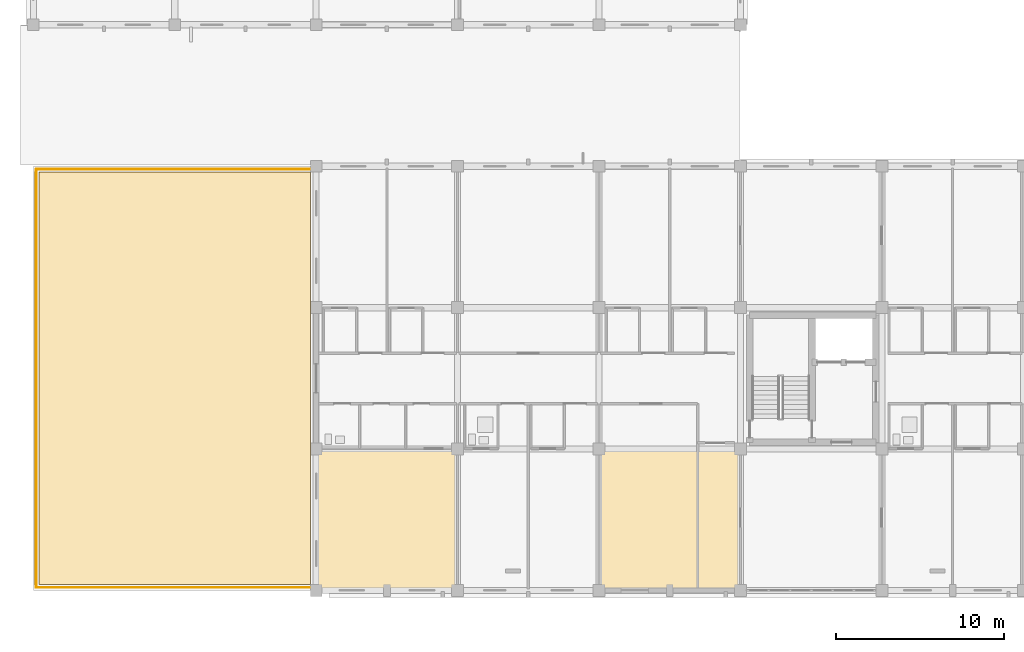
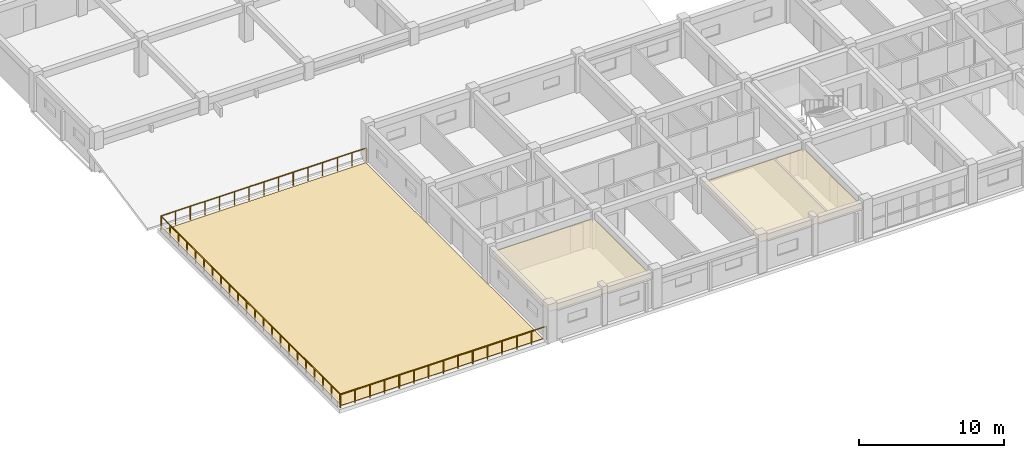
# One storey, part 136 of 148: 3 coverings, 3 railings.
"""IFC4 building model written with IfcOpenShell, lengths in metres."""

from ifc_helpers import new_model, si_unit, direction, frame, origin, origin_2d, place, context, subcontext, project, spatial, polyline, circle, outline, extrude, material, layer, layer_set, type_object, element, save


model = new_model("IFC4")

# Units and contexts
model_context = context("Model", 3, precision=1e-05, world=origin(), true_north=direction((0.0, 1.0)))
body_context = subcontext(model_context, "Body", "Model", "MODEL_VIEW")
ifc_project = project(units=[si_unit("LENGTHUNIT", "METRE"), si_unit("AREAUNIT", "SQUARE_METRE"), si_unit("VOLUMEUNIT", "CUBIC_METRE"), si_unit("PLANEANGLEUNIT", "RADIAN"), si_unit("MASSUNIT", "GRAM", prefix="KILO")], contexts=[model_context])

# Site, building, storey
site_placement = place(None, origin())
site = spatial("IfcSite", under=ifc_project, at=site_placement, CompositionType="ELEMENT")
building_placement = place(site_placement, origin())
building = spatial("IfcBuilding", under=site, at=building_placement, Name="Trelvath General Hospital", CompositionType="ELEMENT")
storey_placement = place(building_placement, frame((0.0, 0.0, 12.89990234375)))
storey = spatial("IfcBuildingStorey", under=building, at=storey_placement, Name="L03", CompositionType="ELEMENT", Elevation=12.89990234375)

# Coverings
ifc_material_1 = material(Name="Hygienic acoustic ceiling tile")
ifc_layer_1 = layer(ifc_material_1, 0.02490234375)
ifc_layer_set_1 = layer_set([ifc_layer_1], Name="Hygienic acoustic ceiling tile")
covering_type_1 = type_object("IfcCoveringType", Name="Ceiling ClinicalAcoustic", PredefinedType="CEILING", material=ifc_layer_set_1)
covering_1_placement = place(storey_placement, frame((0.0, 0.0, 2.300048828125)))
element("IfcCovering", 1, at=covering_1_placement, inside=storey, type_object=covering_type_1, Name="Clinical Acoustic Ceiling L03-37", PredefinedType="CEILING", context=body_context, shape_type="SweptSolid", body=[
    extrude(outline(polyline([(16.89990234375, 0.10009765625), (25.10009765625, 0.10009765625), (25.10009765625, 8.320068359375), (16.89990234375, 8.320068359375), (16.89990234375, 0.10009765625)])), origin(), (0.0, 0.0, 1.0), 0.025146484375),
])
covering_2_placement = place(storey_placement, frame((0.0, 0.0, 2.300048828125)))
element("IfcCovering", 2, at=covering_2_placement, inside=storey, type_object=covering_type_1, Name="Clinical Acoustic Ceiling L03-38", PredefinedType="CEILING", context=body_context, shape_type="SweptSolid", body=[
    extrude(outline(polyline([(33.699951171875, 0.10009765625), (41.89990234375, 0.10009765625), (41.89990234375, 8.320068359375), (33.699951171875, 8.320068359375), (33.699951171875, 0.10009765625)])), origin(), (0.0, 0.0, 1.0), 0.025146484375),
])

# Railings
ifc_material_2 = material(Name="Architectural painted steel", Category="steel")
railing_type = type_object("IfcRailingType", Name="Guardrail Terrace1150", PredefinedType="GUARDRAIL", material=ifc_material_2)
railing_1_placement = place(storey_placement, frame((0.179931640625, 0.239990234375, 0.0)))
element("IfcRailing", 3, at=railing_1_placement, inside=storey, type_object=railing_type, Name="Planted Terrace Guardrail TERR-OR-SW3 W 1", PredefinedType="GUARDRAIL", context=body_context, shape_type="SweptSolid", body=[
    extrude(circle(Radius=0.02392578125, at=origin_2d()), frame((0.0, 0.0, 1.1259765625), z_axis=(0.0, 1.0, 0.0), x_axis=(-1.0, 0.0, 0.0)), (0.0, 0.0, 1.0), 24.719970703125),
    extrude(circle(Radius=0.02099609375, at=origin_2d()), origin(), (0.0, 0.0, 1.0), 1.099853515625),
    extrude(circle(Radius=0.02099609375, at=origin_2d()), frame((0.0, 1.17724609375, 0.0)), (0.0, 0.0, 1.0), 1.099853515625),
    extrude(circle(Radius=0.02099609375, at=origin_2d()), frame((0.0, 2.354248046875, 0.0)), (0.0, 0.0, 1.0), 1.099853515625),
    extrude(circle(Radius=0.02099609375, at=origin_2d()), frame((0.0, 3.531494140625, 0.0)), (0.0, 0.0, 1.0), 1.099853515625),
    extrude(circle(Radius=0.02099609375, at=origin_2d()), frame((0.0, 4.70849609375, 0.0)), (0.0, 0.0, 1.0), 1.099853515625),
    extrude(circle(Radius=0.02099609375, at=origin_2d()), frame((0.0, 5.8857421875, 0.0)), (0.0, 0.0, 1.0), 1.099853515625),
    extrude(circle(Radius=0.02099609375, at=origin_2d()), frame((0.0, 7.062744140625, 0.0)), (0.0, 0.0, 1.0), 1.099853515625),
    extrude(circle(Radius=0.02099609375, at=origin_2d()), frame((0.0, 8.239990234375, 0.0)), (0.0, 0.0, 1.0), 1.099853515625),
    extrude(circle(Radius=0.02099609375, at=origin_2d()), frame((0.0, 9.417236328125, 0.0)), (0.0, 0.0, 1.0), 1.099853515625),
    extrude(circle(Radius=0.02099609375, at=origin_2d()), frame((0.0, 10.59423828125, 0.0)), (0.0, 0.0, 1.0), 1.099853515625),
    extrude(circle(Radius=0.02099609375, at=origin_2d()), frame((0.0, 11.771484375, 0.0)), (0.0, 0.0, 1.0), 1.099853515625),
    extrude(circle(Radius=0.02099609375, at=origin_2d()), frame((0.0, 12.948486328125, 0.0)), (0.0, 0.0, 1.0), 1.099853515625),
    extrude(circle(Radius=0.02099609375, at=origin_2d()), frame((0.0, 14.125732421875, 0.0)), (0.0, 0.0, 1.0), 1.099853515625),
    extrude(circle(Radius=0.02099609375, at=origin_2d()), frame((0.0, 15.302734375, 0.0)), (0.0, 0.0, 1.0), 1.099853515625),
    extrude(circle(Radius=0.02099609375, at=origin_2d()), frame((0.0, 16.47998046875, 0.0)), (0.0, 0.0, 1.0), 1.099853515625),
    extrude(circle(Radius=0.02099609375, at=origin_2d()), frame((0.0, 17.6572265625, 0.0)), (0.0, 0.0, 1.0), 1.099853515625),
    extrude(circle(Radius=0.02099609375, at=origin_2d()), frame((0.0, 18.834228515625, 0.0)), (0.0, 0.0, 1.0), 1.099853515625),
    extrude(circle(Radius=0.02099609375, at=origin_2d()), frame((0.0, 20.011474609375, 0.0)), (0.0, 0.0, 1.0), 1.099853515625),
    extrude(circle(Radius=0.02099609375, at=origin_2d()), frame((0.0, 21.1884765625, 0.0)), (0.0, 0.0, 1.0), 1.099853515625),
    extrude(circle(Radius=0.02099609375, at=origin_2d()), frame((0.0, 22.36572265625, 0.0)), (0.0, 0.0, 1.0), 1.099853515625),
    extrude(circle(Radius=0.02099609375, at=origin_2d()), frame((0.0, 23.542724609375, 0.0)), (0.0, 0.0, 1.0), 1.099853515625),
    extrude(circle(Radius=0.02099609375, at=origin_2d()), frame((0.0, 24.719970703125, 0.0)), (0.0, 0.0, 1.0), 1.099853515625),
])
railing_2_placement = place(storey_placement, frame((0.179931640625, 0.179931640625, 0.0)))
element("IfcRailing", 4, at=railing_2_placement, inside=storey, type_object=railing_type, Name="Planted Terrace Guardrail TERR-OR-SW3 S 2", PredefinedType="GUARDRAIL", context=body_context, shape_type="SweptSolid", body=[
    extrude(circle(Radius=0.02392578125, at=origin_2d()), frame((0.0, 0.0, 1.1259765625), z_axis=(1.0, 0.0, 0.0), x_axis=(0.0, 1.0, 0.0)), (0.0, 0.0, 1.0), 16.440185546875),
    extrude(circle(Radius=0.02099609375, at=origin_2d()), origin(), (0.0, 0.0, 1.0), 1.099853515625),
    extrude(circle(Radius=0.02099609375, at=origin_2d()), frame((1.17431640625, 0.0, 0.0)), (0.0, 0.0, 1.0), 1.099853515625),
    extrude(circle(Radius=0.02099609375, at=origin_2d()), frame((2.3486328125, 0.0, 0.0)), (0.0, 0.0, 1.0), 1.099853515625),
    extrude(circle(Radius=0.02099609375, at=origin_2d()), frame((3.52294921875, 0.0, 0.0)), (0.0, 0.0, 1.0), 1.099853515625),
    extrude(circle(Radius=0.02099609375, at=origin_2d()), frame((4.697265625, 0.0, 0.0)), (0.0, 0.0, 1.0), 1.099853515625),
    extrude(circle(Radius=0.02099609375, at=origin_2d()), frame((5.87158203125, 0.0, 0.0)), (0.0, 0.0, 1.0), 1.099853515625),
    extrude(circle(Radius=0.02099609375, at=origin_2d()), frame((7.0458984375, 0.0, 0.0)), (0.0, 0.0, 1.0), 1.099853515625),
    extrude(circle(Radius=0.02099609375, at=origin_2d()), frame((8.22021484375, 0.0, 0.0)), (0.0, 0.0, 1.0), 1.099853515625),
    extrude(circle(Radius=0.02099609375, at=origin_2d()), frame((9.394287109375, 0.0, 0.0)), (0.0, 0.0, 1.0), 1.099853515625),
    extrude(circle(Radius=0.02099609375, at=origin_2d()), frame((10.568603515625, 0.0, 0.0)), (0.0, 0.0, 1.0), 1.099853515625),
    extrude(circle(Radius=0.02099609375, at=origin_2d()), frame((11.742919921875, 0.0, 0.0)), (0.0, 0.0, 1.0), 1.099853515625),
    extrude(circle(Radius=0.02099609375, at=origin_2d()), frame((12.917236328125, 0.0, 0.0)), (0.0, 0.0, 1.0), 1.099853515625),
    extrude(circle(Radius=0.02099609375, at=origin_2d()), frame((14.091552734375, 0.0, 0.0)), (0.0, 0.0, 1.0), 1.099853515625),
    extrude(circle(Radius=0.02099609375, at=origin_2d()), frame((15.265869140625, 0.0, 0.0)), (0.0, 0.0, 1.0), 1.099853515625),
    extrude(circle(Radius=0.02099609375, at=origin_2d()), frame((16.440185546875, 0.0, 0.0)), (0.0, 0.0, 1.0), 1.099853515625),
])
railing_3_placement = place(storey_placement, frame((0.179931640625, 25.02001953125, 0.0)))
element("IfcRailing", 5, at=railing_3_placement, inside=storey, type_object=railing_type, Name="Planted Terrace Guardrail TERR-OR-SW3 N 3", PredefinedType="GUARDRAIL", context=body_context, shape_type="SweptSolid", body=[
    extrude(circle(Radius=0.02392578125, at=origin_2d()), frame((0.0, 0.0, 1.1259765625), z_axis=(1.0, 0.0, 0.0), x_axis=(0.0, 1.0, 0.0)), (0.0, 0.0, 1.0), 16.440185546875),
    extrude(circle(Radius=0.02099609375, at=origin_2d()), origin(), (0.0, 0.0, 1.0), 1.099853515625),
    extrude(circle(Radius=0.02099609375, at=origin_2d()), frame((1.17431640625, 0.0, 0.0)), (0.0, 0.0, 1.0), 1.099853515625),
    extrude(circle(Radius=0.02099609375, at=origin_2d()), frame((2.3486328125, 0.0, 0.0)), (0.0, 0.0, 1.0), 1.099853515625),
    extrude(circle(Radius=0.02099609375, at=origin_2d()), frame((3.52294921875, 0.0, 0.0)), (0.0, 0.0, 1.0), 1.099853515625),
    extrude(circle(Radius=0.02099609375, at=origin_2d()), frame((4.697265625, 0.0, 0.0)), (0.0, 0.0, 1.0), 1.099853515625),
    extrude(circle(Radius=0.02099609375, at=origin_2d()), frame((5.87158203125, 0.0, 0.0)), (0.0, 0.0, 1.0), 1.099853515625),
    extrude(circle(Radius=0.02099609375, at=origin_2d()), frame((7.0458984375, 0.0, 0.0)), (0.0, 0.0, 1.0), 1.099853515625),
    extrude(circle(Radius=0.02099609375, at=origin_2d()), frame((8.22021484375, 0.0, 0.0)), (0.0, 0.0, 1.0), 1.099853515625),
    extrude(circle(Radius=0.02099609375, at=origin_2d()), frame((9.394287109375, 0.0, 0.0)), (0.0, 0.0, 1.0), 1.099853515625),
    extrude(circle(Radius=0.02099609375, at=origin_2d()), frame((10.568603515625, 0.0, 0.0)), (0.0, 0.0, 1.0), 1.099853515625),
    extrude(circle(Radius=0.02099609375, at=origin_2d()), frame((11.742919921875, 0.0, 0.0)), (0.0, 0.0, 1.0), 1.099853515625),
    extrude(circle(Radius=0.02099609375, at=origin_2d()), frame((12.917236328125, 0.0, 0.0)), (0.0, 0.0, 1.0), 1.099853515625),
    extrude(circle(Radius=0.02099609375, at=origin_2d()), frame((14.091552734375, 0.0, 0.0)), (0.0, 0.0, 1.0), 1.099853515625),
    extrude(circle(Radius=0.02099609375, at=origin_2d()), frame((15.265869140625, 0.0, 0.0)), (0.0, 0.0, 1.0), 1.099853515625),
    extrude(circle(Radius=0.02099609375, at=origin_2d()), frame((16.440185546875, 0.0, 0.0)), (0.0, 0.0, 1.0), 1.099853515625),
])

# Covering
ifc_material_3 = material(Name="Planted green roof substrate")
ifc_layer_2 = layer(ifc_material_3, 0.179931640625)
ifc_layer_set_2 = layer_set([ifc_layer_2], Name="Planted green roof substrate")
covering_type_2 = type_object("IfcCoveringType", Name="Roofing PlantedGarden", PredefinedType="ROOFING", material=ifc_layer_set_2)
covering_3_placement = place(storey_placement, origin())
element("IfcCovering", 6, at=covering_3_placement, inside=storey, type_object=covering_type_2, Name="Planted Terrace Substrate TERR-OR-SW3", PredefinedType="ROOFING", context=body_context, shape_type="SweptSolid", body=[
    extrude(outline(polyline([(0.35009765625, 0.35009765625), (16.449951171875, 0.35009765625), (16.449951171875, 24.85009765625), (0.35009765625, 24.85009765625), (0.35009765625, 0.35009765625)])), origin(), (0.0, 0.0, 1.0), 0.0400390625),
])

save(model, "model.ifc")
